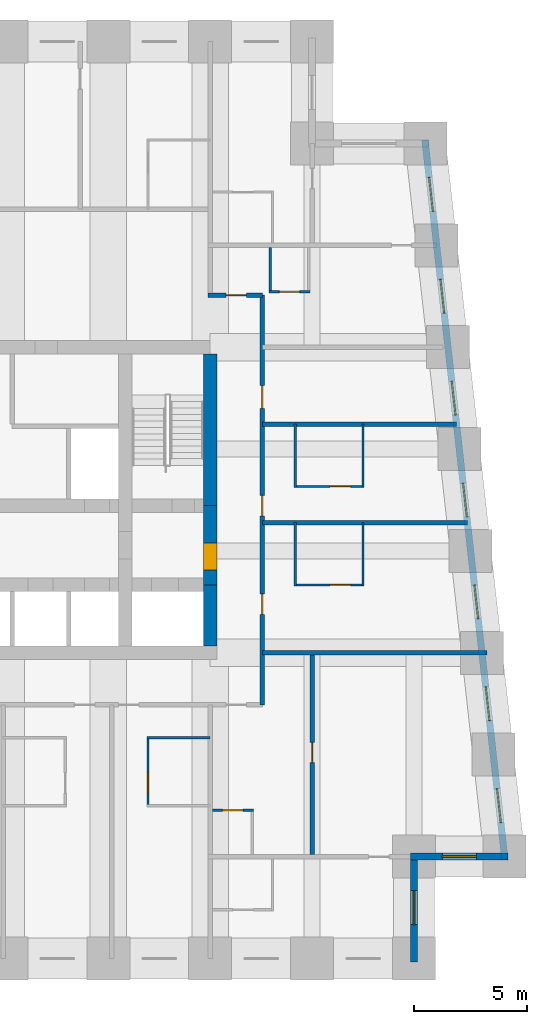
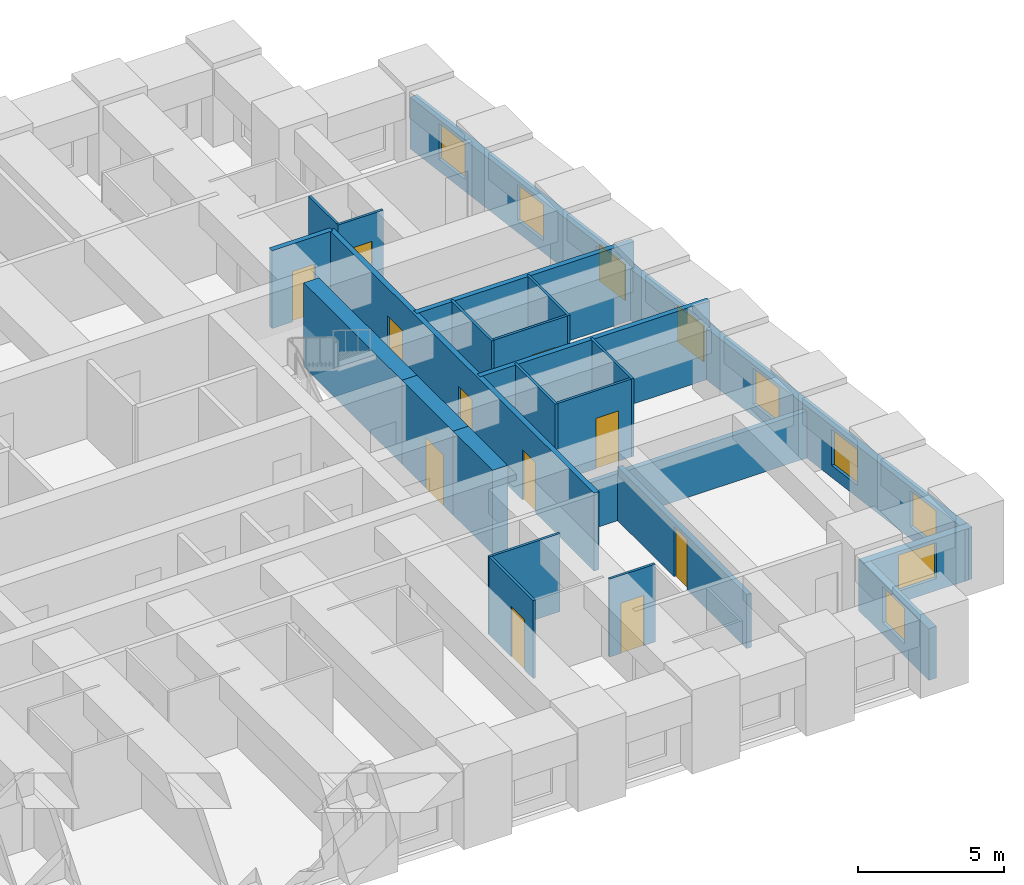
# One storey, part 5 of 8: 23 walls, 11 doors, 9 windows, 20 openings.
"""IFC4 building model written with IfcOpenShell, lengths in metres."""

import ifcopenshell
import ifcopenshell.guid

model = None  # the IFC model being written
_history = None  # IfcOwnerHistory: only IFC2X3 demands one
_inside = {}  # id of a spatial element -> (the spatial element, [elements in it])
_under = {}  # id of a project, library or spatial element -> (it, [spatial elements below it])
_declared = {}  # id of a project -> (the project, [libraries it declares])
_typed = {}  # id of a type object -> (the type object, [elements of that type])
_made_of = {}  # id of a material, layer set ... -> (it, [elements and type objects made of it])


def new_model(schema):
    """Start an empty IFC model of exactly this schema.

    Asked for "IFC4X3", IfcOpenShell would pick the latest addendum, in which some entities
    have other attributes; the version numbers below select the first issue.
    IFC2X3 requires an IfcOwnerHistory on every rooted entity: one is made here for all.
    """
    global model, _history
    if schema == "IFC4X3":
        model = ifcopenshell.file(schema_version=(4, 3, 0, 0))
    else:
        model = ifcopenshell.file(schema=schema)
    _inside.clear()
    _under.clear()
    _declared.clear()
    _typed.clear()
    _made_of.clear()
    _history = None
    if model.schema == "IFC2X3":
        org = make("IfcOrganization", Name="unknown")
        user = make(
            "IfcPersonAndOrganization",
            ThePerson=make("IfcPerson", FamilyName="unknown"),
            TheOrganization=org,
        )
        app = make(
            "IfcApplication",
            ApplicationDeveloper=org,
            Version="unknown",
            ApplicationFullName="unknown",
            ApplicationIdentifier="unknown",
        )
        _history = make(
            "IfcOwnerHistory",
            OwningUser=user,
            OwningApplication=app,
            ChangeAction="ADDED",
            CreationDate=0,
        )
    return model


def make(cls, **values):
    """One entity of the class cls with the attributes given. An attribute that is None is left unset."""
    return model.create_entity(
        cls, **{name: value for name, value in values.items() if value is not None}
    )


def rooted(cls, **values):
    """An entity with a GlobalId (a new one), such as an element, a storey or a relation."""
    return make(cls, GlobalId=ifcopenshell.guid.new(), OwnerHistory=_history, **values)


def si_unit(unit_type, name, prefix=None):
    """IfcSIUnit, for example si_unit("LENGTHUNIT", "METRE", prefix="MILLI")."""
    return make("IfcSIUnit", UnitType=unit_type, Prefix=prefix, Name=name)


def assignment(units):
    """IfcUnitAssignment: the units of a project."""
    return None if units is None else make("IfcUnitAssignment", Units=units)


def point(xyz):
    """IfcCartesianPoint."""
    return None if xyz is None else make("IfcCartesianPoint", Coordinates=xyz)


def direction(xyz):
    """IfcDirection."""
    return None if xyz is None else make("IfcDirection", DirectionRatios=xyz)


def frame(location, z_axis=None, x_axis=None):
    """IfcAxis2Placement3D, a coordinate frame: its origin and axes. An axis left out is left unset."""
    return make(
        "IfcAxis2Placement3D",
        Location=point(location),
        Axis=direction(z_axis),
        RefDirection=direction(x_axis),
    )


def frame_2d(location, x_axis=None):
    """IfcAxis2Placement2D, a coordinate frame in the plane: its origin and x axis."""
    return make(
        "IfcAxis2Placement2D", Location=point(location), RefDirection=direction(x_axis)
    )


def origin():
    """The frame at (0, 0, 0) with its axes left unset."""
    return frame((0.0, 0.0, 0.0))


def place(relative_to, where):
    """IfcLocalPlacement: puts the frame where relative to a parent placement (None: the world)."""
    return make(
        "IfcLocalPlacement", PlacementRelTo=relative_to, RelativePlacement=where
    )


def context(
    kind, dimensions, precision=None, world=None, true_north=None, identifier=None
):
    """IfcGeometricRepresentationContext, for example the 3D "Model" context."""
    return make(
        "IfcGeometricRepresentationContext",
        ContextIdentifier=identifier,
        ContextType=kind,
        CoordinateSpaceDimension=dimensions,
        Precision=precision,
        WorldCoordinateSystem=world,
        TrueNorth=true_north,
    )


def subcontext(parent, identifier, kind, view, scale=None):
    """IfcGeometricRepresentationSubContext, for example "Body" below "Model"."""
    return make(
        "IfcGeometricRepresentationSubContext",
        ContextIdentifier=identifier,
        ContextType=kind,
        ParentContext=parent,
        TargetScale=scale,
        TargetView=view,
    )


def project(units=None, contexts=None):
    """IfcProject with its units and contexts."""
    return rooted(
        "IfcProject",
        Name="project",
        RepresentationContexts=contexts,
        UnitsInContext=assignment(units),
    )


def spatial(cls, under=None, at=None, **own):
    """A site, building, storey or space (cls), placed at a placement, below another one or the project."""
    s = rooted(cls, ObjectPlacement=at, **own)
    if under is not None:
        _under.setdefault(under.id(), (under, []))[1].append(s)
    return s


def profile(cls, at=None, kind="AREA", **sizes):
    """A parametric profile (cls). Its sizes go by their IFC names, for example OverallWidth=200.0."""
    return make(cls, ProfileType=kind, Position=at, **sizes)


def rectangle(**sizes):
    """IfcRectangleProfileDef."""
    return profile("IfcRectangleProfileDef", **sizes)


def extrude(swept, where, along, depth):
    """IfcExtrudedAreaSolid: the profile swept, set in the frame where, extruded along a direction by depth."""
    return make(
        "IfcExtrudedAreaSolid",
        SweptArea=swept,
        Position=where,
        ExtrudedDirection=direction(along),
        Depth=depth,
    )


def shape(context_of_items, identifier, shape_type, items):
    """IfcShapeRepresentation: the items that make up one representation, for example the "Body"."""
    return make(
        "IfcShapeRepresentation",
        ContextOfItems=context_of_items,
        RepresentationIdentifier=identifier,
        RepresentationType=shape_type,
        Items=items,
    )


def material(Name=None, Category=None):
    """IfcMaterial."""
    return make("IfcMaterial", Name=Name, Category=Category)


def layer(
    of_material, thickness, ventilated=None, Name=None, Category=None, Priority=None
):
    """IfcMaterialLayer: one layer of a wall or slab, of a material (None: an air gap)."""
    return make(
        "IfcMaterialLayer",
        Material=of_material,
        LayerThickness=thickness,
        IsVentilated=ventilated,
        Name=Name,
        Category=Category,
        Priority=Priority,
    )


def layer_set(layers, Name=None):
    """IfcMaterialLayerSet."""
    return make("IfcMaterialLayerSet", MaterialLayers=layers, LayerSetName=Name)


def made_of(thing, what):
    """Note that an element or type object is made of a material, layer set ...; save() writes the relation."""
    if what is not None:
        _made_of.setdefault(what.id(), (what, []))[1].append(thing)
    return thing


def type_object(cls, material=None, **own):
    """A type object (cls), such as IfcWallType, which elements share."""
    return made_of(rooted(cls, **own), material)


def element(
    cls,
    number,
    at=None,
    inside=None,
    cuts=None,
    type_object=None,
    material=None,
    context=None,
    identifier="Body",
    shape_type=None,
    held_by="IfcProductDefinitionShape",
    body=None,
    shapes=None,
    **own,
):
    """One element of the class cls, such as IfcWall. Its Tag is "e" and its number.

    at: its placement. inside: the storey or other place that contains it. cuts: it is an
    opening in that element (IfcRelVoidsElement). A single representation is given by context,
    identifier, shape_type and body (its items); several are given by shapes. held_by: the class
    of the entity that holds the representations. save() writes the other relations.
    """
    e = rooted(cls, Tag="e%d" % number, ObjectPlacement=at, **own)
    if body is not None:
        shapes = [shape(context, identifier, shape_type, body)]
    if shapes is not None:
        e.Representation = make(held_by, Representations=shapes)
    if inside is not None:
        _inside.setdefault(inside.id(), (inside, []))[1].append(e)
    if cuts is not None:
        rooted(
            "IfcRelVoidsElement", RelatingBuildingElement=cuts, RelatedOpeningElement=e
        )
    if type_object is not None:
        _typed.setdefault(type_object.id(), (type_object, []))[1].append(e)
    return made_of(e, material)


def fill(opening, filler):
    """IfcRelFillsElement: the door or window that sits in an opening."""
    return rooted(
        "IfcRelFillsElement",
        RelatingOpeningElement=opening,
        RelatedBuildingElement=filler,
    )


def aggregate(whole, parts):
    """IfcRelAggregates: a whole, such as a stair, and the parts it consists of."""
    return rooted("IfcRelAggregates", RelatingObject=whole, RelatedObjects=parts)


def save(model, path):
    """Write the relations noted so far, then the file.

    IfcRelAggregates (storeys below a building ...), IfcRelContainedInSpatialStructure (elements
    in a storey), IfcRelDefinesByType, IfcRelAssociatesMaterial and IfcRelDeclares: one each for
    every whole, place, type object, material and project.
    """
    for whole, parts in _under.values():
        aggregate(whole, parts)
    for where, things in _inside.values():
        rooted(
            "IfcRelContainedInSpatialStructure",
            RelatedElements=things,
            RelatingStructure=where,
        )
    for kind, things in _typed.values():
        rooted("IfcRelDefinesByType", RelatedObjects=things, RelatingType=kind)
    for what, things in _made_of.values():
        rooted("IfcRelAssociatesMaterial", RelatedObjects=things, RelatingMaterial=what)
    for by, libraries in _declared.values():
        rooted("IfcRelDeclares", RelatingContext=by, RelatedDefinitions=libraries)
    model.write(path)


model = new_model("IFC4")

# Units and contexts
model_context = context("Model", 3, precision=1e-05, world=origin(), true_north=direction((0.0, 1.0)))
body_context = subcontext(model_context, "Body", "Model", "MODEL_VIEW")
ifc_project = project(units=[si_unit("LENGTHUNIT", "METRE"), si_unit("AREAUNIT", "SQUARE_METRE"), si_unit("VOLUMEUNIT", "CUBIC_METRE"), si_unit("PLANEANGLEUNIT", "RADIAN"), si_unit("MASSUNIT", "GRAM", prefix="KILO")], contexts=[model_context])

# Site, building, storey
site_placement = place(None, origin())
site = spatial("IfcSite", under=ifc_project, at=site_placement, CompositionType="ELEMENT")
building_placement = place(site_placement, origin())
building = spatial("IfcBuilding", under=site, at=building_placement, Name="Kilele Tower Hotel", CompositionType="ELEMENT")
storey_placement = place(building_placement, frame((0.0, 0.0, 100.39990234375)))
storey = spatial("IfcBuildingStorey", under=building, at=storey_placement, Name="L25", CompositionType="ELEMENT", Elevation=100.39990234375)

# Wall
ifc_material_1 = material(Name="Moisture-resistant board")
ifc_layer_1 = layer(ifc_material_1, 0.10009765625)
ifc_layer_set_1 = layer_set([ifc_layer_1], Name="Moisture-resistant board")
wall_type_1 = type_object("IfcWallType", Name="Bathroom partition 100", PredefinedType="PLUMBINGWALL", material=ifc_layer_set_1)
wall_1_placement = place(storey_placement, frame((33.199951171875, 9.75, 0.0), z_axis=(0.0, 0.0, 1.0), x_axis=(1.0, 0.0, 0.0)))
element("IfcWall", 1, at=wall_1_placement, inside=storey, type_object=wall_type_1, Name="Bathroom partition 100 L25", PredefinedType="PLUMBINGWALL", context=body_context, shape_type="SweptSolid", body=[
    extrude(rectangle(XDim=2.800048828125, YDim=0.10009765625, at=frame_2d((1.39990234375, 0.0))), origin(), (0.0, 0.0, 1.0), 3.25),
])

# Wall, opening, door
wall_2_placement = place(storey_placement, frame((33.25, 9.800048828125, 0.0), z_axis=(0.0, 0.0, 1.0), x_axis=(0.0, -1.0, 0.0)))
wall_2 = element("IfcWall", 2, at=wall_2_placement, inside=storey, type_object=wall_type_1, Name="Bathroom partition 100 L25", PredefinedType="PLUMBINGWALL", context=body_context, shape_type="SweptSolid", body=[
    extrude(rectangle(XDim=3.10009765625, YDim=0.10009765625, at=frame_2d((1.550048828125, 0.0))), origin(), (0.0, 0.0, 1.0), 3.25),
])
opening_1_placement = place(wall_2_placement, frame((2.5, 0.0, 0.0), z_axis=(0.0, 0.0, 1.0), x_axis=(-1.0, 0.0, 0.0)))
opening_1 = element("IfcOpeningElement", 3, at=opening_1_placement, cuts=wall_2, Name="Opening D2A", PredefinedType="OPENING", context=body_context, shape_type="SweptSolid", body=[
    extrude(rectangle(XDim=0.89990234375, YDim=2.10009765625, at=frame_2d((0.449951171875, 1.050048828125))), frame((0.0, 0.06005859375, 0.0), z_axis=(0.0, -1.0, 0.0), x_axis=(1.0, 0.0, 0.0)), (0.0, 0.0, 1.0), 0.1201171875),
])
ifc_material_2 = material(Name="Timber door leaf in hardwood frame", Category="wood")
door_type_1 = type_object("IfcDoorType", Name="Bathroom door 900", OperationType="SINGLE_SWING_LEFT", PredefinedType="DOOR", material=ifc_material_2)
door_1_placement = place(opening_1_placement, origin())
door_1 = element("IfcDoor", 4, at=door_1_placement, inside=storey, type_object=door_type_1, Name="Bathroom door 2505B", OperationType="SINGLE_SWING_LEFT", OverallHeight=2.10009765625, OverallWidth=0.89990234375, PredefinedType="DOOR", context=body_context, shape_type="SweptSolid", body=[
    extrude(rectangle(XDim=0.89990234375, YDim=2.10009765625, at=frame_2d((0.449951171875, 1.050048828125))), frame((0.0, 0.02490234375, 0.0), z_axis=(0.0, -1.0, 0.0), x_axis=(1.0, 0.0, 0.0)), (0.0, 0.0, 1.0), 0.050048828125),
])
fill(opening_1, door_1)

# Walls
for number, where, z_axis, x_axis, name in (
    (5, (39.75, 16.449951171875, 0.0), (0.0, 0.0, 1.0), (0.0, 1.0, 0.0), "Bathroom partition 100 L25"),
    (6, (42.75, 16.449951171875, 0.0), (0.0, 0.0, 1.0), (0.0, 1.0, 0.0), "Bathroom partition 100 L25"),
):
    element("IfcWall", number, at=place(storey_placement, frame(where, z_axis=z_axis, x_axis=x_axis)), inside=storey, type_object=wall_type_1, Name=name, PredefinedType="PLUMBINGWALL", context=body_context, shape_type="SweptSolid", body=[
        extrude(rectangle(XDim=2.800048828125, YDim=0.10009765625, at=frame_2d((1.39990234375, 0.0))), origin(), (0.0, 0.0, 1.0), 3.25),
    ])

# Wall, opening, door
wall_3_placement = place(storey_placement, frame((39.699951171875, 16.5, 0.0), z_axis=(0.0, 0.0, 1.0), x_axis=(1.0, 0.0, 0.0)))
wall_3 = element("IfcWall", 7, at=wall_3_placement, inside=storey, type_object=wall_type_1, Name="Bathroom partition 100 L25", PredefinedType="PLUMBINGWALL", context=body_context, shape_type="SweptSolid", body=[
    extrude(rectangle(XDim=3.10009765625, YDim=0.10009765625, at=frame_2d((1.550048828125, 0.0))), origin(), (0.0, 0.0, 1.0), 3.25),
])
opening_2_placement = place(wall_3_placement, frame((2.5, 0.0, 0.0), z_axis=(0.0, 0.0, 1.0), x_axis=(-1.0, 0.0, 0.0)))
opening_2 = element("IfcOpeningElement", 8, at=opening_2_placement, cuts=wall_3, Name="Opening D2A", PredefinedType="OPENING", context=body_context, shape_type="SweptSolid", body=[
    extrude(rectangle(XDim=0.89990234375, YDim=2.10009765625, at=frame_2d((0.449951171875, 1.050048828125))), frame((0.0, 0.06005859375, 0.0), z_axis=(0.0, -1.0, 0.0), x_axis=(1.0, 0.0, 0.0)), (0.0, 0.0, 1.0), 0.1201171875),
])
door_2_placement = place(opening_2_placement, origin())
door_2 = element("IfcDoor", 9, at=door_2_placement, inside=storey, type_object=door_type_1, Name="Bathroom door 2506B", OperationType="SINGLE_SWING_LEFT", OverallHeight=2.10009765625, OverallWidth=0.89990234375, PredefinedType="DOOR", context=body_context, shape_type="SweptSolid", body=[
    extrude(rectangle(XDim=0.89990234375, YDim=2.10009765625, at=frame_2d((0.449951171875, 1.050048828125))), frame((0.0, 0.02490234375, 0.0), z_axis=(0.0, -1.0, 0.0), x_axis=(1.0, 0.0, 0.0)), (0.0, 0.0, 1.0), 0.050048828125),
])
fill(opening_2, door_2)

# Walls
for number, where, z_axis, x_axis, name in (
    (10, (39.75, 20.800048828125, 0.0), (0.0, 0.0, 1.0), (0.0, 1.0, 0.0), "Bathroom partition 100 L25"),
    (11, (42.75, 20.800048828125, 0.0), (0.0, 0.0, 1.0), (0.0, 1.0, 0.0), "Bathroom partition 100 L25"),
):
    element("IfcWall", number, at=place(storey_placement, frame(where, z_axis=z_axis, x_axis=x_axis)), inside=storey, type_object=wall_type_1, Name=name, PredefinedType="PLUMBINGWALL", context=body_context, shape_type="SweptSolid", body=[
        extrude(rectangle(XDim=2.800048828125, YDim=0.10009765625, at=frame_2d((1.39990234375, 0.0))), origin(), (0.0, 0.0, 1.0), 3.25),
    ])

# Wall, opening, door
wall_4_placement = place(storey_placement, frame((39.699951171875, 20.85009765625, 0.0), z_axis=(0.0, 0.0, 1.0), x_axis=(1.0, 0.0, 0.0)))
wall_4 = element("IfcWall", 12, at=wall_4_placement, inside=storey, type_object=wall_type_1, Name="Bathroom partition 100 L25", PredefinedType="PLUMBINGWALL", context=body_context, shape_type="SweptSolid", body=[
    extrude(rectangle(XDim=3.10009765625, YDim=0.10009765625, at=frame_2d((1.550048828125, 0.0))), origin(), (0.0, 0.0, 1.0), 3.25),
])
opening_3_placement = place(wall_4_placement, frame((2.5, 0.0, 0.0), z_axis=(0.0, 0.0, 1.0), x_axis=(-1.0, 0.0, 0.0)))
opening_3 = element("IfcOpeningElement", 13, at=opening_3_placement, cuts=wall_4, Name="Opening D2A", PredefinedType="OPENING", context=body_context, shape_type="SweptSolid", body=[
    extrude(rectangle(XDim=0.89990234375, YDim=2.10009765625, at=frame_2d((0.449951171875, 1.050048828125))), frame((0.0, 0.06005859375, 0.0), z_axis=(0.0, -1.0, 0.0), x_axis=(1.0, 0.0, 0.0)), (0.0, 0.0, 1.0), 0.1201171875),
])
door_3_placement = place(opening_3_placement, origin())
door_3 = element("IfcDoor", 14, at=door_3_placement, inside=storey, type_object=door_type_1, Name="Bathroom door 2507B", OperationType="SINGLE_SWING_LEFT", OverallHeight=2.10009765625, OverallWidth=0.89990234375, PredefinedType="DOOR", context=body_context, shape_type="SweptSolid", body=[
    extrude(rectangle(XDim=0.89990234375, YDim=2.10009765625, at=frame_2d((0.449951171875, 1.050048828125))), frame((0.0, 0.02490234375, 0.0), z_axis=(0.0, -1.0, 0.0), x_axis=(1.0, 0.0, 0.0)), (0.0, 0.0, 1.0), 0.050048828125),
])
fill(opening_3, door_3)

wall_5_placement = place(storey_placement, frame((36.10009765625, 6.550048828125, 0.0), z_axis=(0.0, 0.0, 1.0), x_axis=(1.0, 0.0, 0.0)))
wall_5 = element("IfcWall", 15, at=wall_5_placement, inside=storey, type_object=wall_type_1, Name="Bathroom partition 100 L25", PredefinedType="PLUMBINGWALL", context=body_context, shape_type="SweptSolid", body=[
    extrude(rectangle(XDim=1.7998046875, YDim=0.10009765625, at=frame_2d((0.89990234375, 0.0))), origin(), (0.0, 0.0, 1.0), 3.25),
])
opening_4_placement = place(wall_5_placement, frame((0.449951171875, 0.0, 0.0)))
opening_4 = element("IfcOpeningElement", 16, at=opening_4_placement, cuts=wall_5, Name="Opening D2A", PredefinedType="OPENING", context=body_context, shape_type="SweptSolid", body=[
    extrude(rectangle(XDim=0.89990234375, YDim=2.10009765625, at=frame_2d((0.449951171875, 1.050048828125))), frame((0.0, 0.06005859375, 0.0), z_axis=(0.0, -1.0, 0.0), x_axis=(1.0, 0.0, 0.0)), (0.0, 0.0, 1.0), 0.1201171875),
])
door_4_placement = place(opening_4_placement, origin())
door_4 = element("IfcDoor", 17, at=door_4_placement, inside=storey, type_object=door_type_1, Name="Bathroom door 2520P", OperationType="SINGLE_SWING_LEFT", OverallHeight=2.10009765625, OverallWidth=0.89990234375, PredefinedType="DOOR", context=body_context, shape_type="SweptSolid", body=[
    extrude(rectangle(XDim=0.89990234375, YDim=2.10009765625, at=frame_2d((0.449951171875, 1.050048828125))), frame((0.0, 0.02490234375, 0.0), z_axis=(0.0, -1.0, 0.0), x_axis=(1.0, 0.0, 0.0)), (0.0, 0.0, 1.0), 0.050048828125),
])
fill(opening_4, door_4)

# Wall
wall_6_placement = place(storey_placement, frame((38.64990234375, 31.39990234375, 0.0), z_axis=(0.0, 0.0, 1.0), x_axis=(0.0, -1.0, 0.0)))
element("IfcWall", 18, at=wall_6_placement, inside=storey, type_object=wall_type_1, Name="Bathroom partition 100 L25", PredefinedType="PLUMBINGWALL", context=body_context, shape_type="SweptSolid", body=[
    extrude(rectangle(XDim=2.0, YDim=0.10009765625, at=frame_2d((1.0, 0.0))), origin(), (0.0, 0.0, 1.0), 3.25),
])

# Wall, opening, door
wall_7_placement = place(storey_placement, frame((38.60009765625, 29.449951171875, 0.0), z_axis=(0.0, 0.0, 1.0), x_axis=(1.0, 0.0, 0.0)))
wall_7 = element("IfcWall", 19, at=wall_7_placement, inside=storey, type_object=wall_type_1, Name="Bathroom partition 100 L25", PredefinedType="PLUMBINGWALL", context=body_context, shape_type="SweptSolid", body=[
    extrude(rectangle(XDim=1.7998046875, YDim=0.10009765625, at=frame_2d((0.89990234375, 0.0))), origin(), (0.0, 0.0, 1.0), 3.25),
])
opening_5_placement = place(wall_7_placement, frame((1.349853515625, 0.0, 0.0), z_axis=(0.0, 0.0, 1.0), x_axis=(-1.0, 0.0, 0.0)))
opening_5 = element("IfcOpeningElement", 20, at=opening_5_placement, cuts=wall_7, Name="Opening D2A", PredefinedType="OPENING", context=body_context, shape_type="SweptSolid", body=[
    extrude(rectangle(XDim=0.89990234375, YDim=2.10009765625, at=frame_2d((0.449951171875, 1.050048828125))), frame((0.0, 0.06005859375, 0.0), z_axis=(0.0, -1.0, 0.0), x_axis=(1.0, 0.0, 0.0)), (0.0, 0.0, 1.0), 0.1201171875),
])
door_5_placement = place(opening_5_placement, origin())
door_5 = element("IfcDoor", 21, at=door_5_placement, inside=storey, type_object=door_type_1, Name="Bathroom door 2523P", OperationType="SINGLE_SWING_RIGHT", OverallHeight=2.10009765625, OverallWidth=0.89990234375, PredefinedType="DOOR", context=body_context, shape_type="SweptSolid", body=[
    extrude(rectangle(XDim=0.89990234375, YDim=2.10009765625, at=frame_2d((0.449951171875, 1.050048828125))), frame((0.0, 0.02490234375, 0.0), z_axis=(0.0, -1.0, 0.0), x_axis=(1.0, 0.0, 0.0)), (0.0, 0.0, 1.0), 0.050048828125),
])
fill(opening_5, door_5)

# Wall
ifc_material_3 = material(Name="Concrete C60/75", Category="concrete")
ifc_layer_2 = layer(ifc_material_3, 0.60009765625)
ifc_layer_set_2 = layer_set([ifc_layer_2], Name="Concrete C60/75")
wall_type_2 = type_object("IfcWallType", Name="Core wall 600 C60/75", PredefinedType="SHEAR", material=ifc_layer_set_2)
wall_8_placement = place(storey_placement, frame((36.0, 13.800048828125, 0.0), z_axis=(0.0, 0.0, 1.0), x_axis=(0.0, 1.0, 0.0)))
element("IfcWall", 22, at=wall_8_placement, inside=storey, type_object=wall_type_2, Name="Core wall E1 L25", PredefinedType="SHEAR", context=body_context, shape_type="SweptSolid", body=[
    extrude(rectangle(XDim=2.699951171875, YDim=0.60009765625, at=frame_2d((1.35009765625, 0.0))), origin(), (0.0, 0.0, 1.0), 3.5),
])

# Wall, opening, door
wall_9_placement = place(storey_placement, frame((36.0, 16.5, 0.0), z_axis=(0.0, 0.0, 1.0), x_axis=(0.0, 1.0, 0.0)))
wall_9 = element("IfcWall", 23, at=wall_9_placement, inside=storey, type_object=wall_type_2, Name="Core wall E2 L25", PredefinedType="SHEAR", context=body_context, shape_type="SweptSolid", body=[
    extrude(rectangle(XDim=3.5, YDim=0.60009765625, at=frame_2d((1.75, 0.0))), origin(), (0.0, 0.0, 1.0), 3.5),
])
opening_6_placement = place(wall_9_placement, frame((0.64990234375, 0.0, 0.0)))
opening_6 = element("IfcOpeningElement", 24, at=opening_6_placement, cuts=wall_9, Name="Opening D4", PredefinedType="OPENING", context=body_context, shape_type="SweptSolid", body=[
    extrude(rectangle(XDim=1.199951171875, YDim=2.10009765625, at=frame_2d((0.60009765625, 1.050048828125))), frame((0.0, 0.31005859375, 0.0), z_axis=(0.0, -1.0, 0.0), x_axis=(1.0, 0.0, 0.0)), (0.0, 0.0, 1.0), 0.6201171875),
])
ifc_material_4 = material(Name="Timber door leaf in hardwood frame", Category="wood")
door_type_2 = type_object("IfcDoorType", Name="Firefighting lobby door 1200", OperationType="SINGLE_SWING_LEFT", PredefinedType="DOOR", material=ifc_material_4)
door_6_placement = place(opening_6_placement, origin())
door_6 = element("IfcDoor", 25, at=door_6_placement, inside=storey, type_object=door_type_2, Name="Lobby door L25", OperationType="SINGLE_SWING_LEFT", OverallHeight=2.10009765625, OverallWidth=1.199951171875, PredefinedType="DOOR", context=body_context, shape_type="SweptSolid", body=[
    extrude(rectangle(XDim=1.199951171875, YDim=2.10009765625, at=frame_2d((0.60009765625, 1.050048828125))), frame((0.0, 0.2998046875, 0.0), z_axis=(0.0, -1.0, 0.0), x_axis=(1.0, 0.0, 0.0)), (0.0, 0.0, 1.0), 0.599609375),
])
fill(opening_6, door_6)

# Wall
wall_10_placement = place(storey_placement, frame((36.0, 20.0, 0.0), z_axis=(0.0, 0.0, 1.0), x_axis=(0.0, 1.0, 0.0)))
element("IfcWall", 26, at=wall_10_placement, inside=storey, type_object=wall_type_2, Name="Core wall E3 L25", PredefinedType="SHEAR", context=body_context, shape_type="SweptSolid", body=[
    extrude(rectangle(XDim=6.699951171875, YDim=0.60009765625, at=frame_2d((3.35009765625, 0.0))), origin(), (0.0, 0.0, 1.0), 3.5),
])

# Wall, opening, door
ifc_material_5 = material(Name="Blockwork, plastered both sides", Category="masonry")
ifc_layer_3 = layer(ifc_material_5, 0.199951171875)
ifc_layer_set_3 = layer_set([ifc_layer_3], Name="Blockwork, plastered both sides")
wall_type_3 = type_object("IfcWallType", Name="Corridor wall 200", PredefinedType="PARTITIONING", material=ifc_layer_set_3)
wall_11_placement = place(storey_placement, frame((35.89990234375, 29.300048828125, 0.0), z_axis=(0.0, 0.0, 1.0), x_axis=(1.0, 0.0, 0.0)))
wall_11 = element("IfcWall", 27, at=wall_11_placement, inside=storey, type_object=wall_type_3, Name="Corridor wall 200 L25", PredefinedType="PARTITIONING", context=body_context, shape_type="SweptSolid", body=[
    extrude(rectangle(XDim=2.400146484375, YDim=0.199951171875, at=frame_2d((1.2001953125, 0.0))), origin(), (0.0, 0.0, 1.0), 3.25),
])
opening_7_placement = place(wall_11_placement, frame((0.800048828125, 0.0, 0.0)))
opening_7 = element("IfcOpeningElement", 28, at=opening_7_placement, cuts=wall_11, Name="Opening D1", PredefinedType="OPENING", context=body_context, shape_type="SweptSolid", body=[
    extrude(rectangle(XDim=0.89990234375, YDim=2.10009765625, at=frame_2d((0.449951171875, 1.050048828125))), frame((0.0, 0.10986328125, 0.0), z_axis=(0.0, -1.0, 0.0), x_axis=(1.0, 0.0, 0.0)), (0.0, 0.0, 1.0), 0.219970703125),
])
ifc_material_6 = material(Name="Timber door leaf in hardwood frame", Category="wood")
door_type_3 = type_object("IfcDoorType", Name="Guest room entrance door 900", OperationType="SINGLE_SWING_LEFT", PredefinedType="DOOR", material=ifc_material_6)
door_7_placement = place(opening_7_placement, origin())
door_7 = element("IfcDoor", 29, at=door_7_placement, inside=storey, type_object=door_type_3, Name="Room entrance 2523", OperationType="SINGLE_SWING_LEFT", OverallHeight=2.10009765625, OverallWidth=0.89990234375, PredefinedType="DOOR", context=body_context, shape_type="SweptSolid", body=[
    extrude(rectangle(XDim=0.89990234375, YDim=2.10009765625, at=frame_2d((0.449951171875, 1.050048828125))), frame((0.0, 0.02490234375, 0.0), z_axis=(0.0, -1.0, 0.0), x_axis=(1.0, 0.0, 0.0)), (0.0, 0.0, 1.0), 0.050048828125),
])
fill(opening_7, door_7)

# Wall, openings, doors
wall_12_placement = place(storey_placement, frame((38.300048828125, 11.199951171875, 0.0), z_axis=(0.0, 0.0, 1.0), x_axis=(0.0, 1.0, 0.0)))
wall_12 = element("IfcWall", 30, at=wall_12_placement, inside=storey, type_object=wall_type_3, Name="Corridor wall 200 L25", PredefinedType="PARTITIONING", context=body_context, shape_type="SweptSolid", body=[
    extrude(rectangle(XDim=18.10009765625, YDim=0.199951171875, at=frame_2d((9.050048828125, 0.0))), origin(), (0.0, 0.0, 1.0), 3.25),
])
opening_8_placement = place(wall_12_placement, frame((4.89990234375, 0.0, 0.0), z_axis=(0.0, 0.0, 1.0), x_axis=(-1.0, 0.0, 0.0)))
opening_8 = element("IfcOpeningElement", 31, at=opening_8_placement, cuts=wall_12, Name="Opening D1", PredefinedType="OPENING", context=body_context, shape_type="SweptSolid", body=[
    extrude(rectangle(XDim=0.89990234375, YDim=2.10009765625, at=frame_2d((0.449951171875, 1.050048828125))), frame((0.0, 0.10986328125, 0.0), z_axis=(0.0, -1.0, 0.0), x_axis=(1.0, 0.0, 0.0)), (0.0, 0.0, 1.0), 0.219970703125),
])
opening_9_placement = place(wall_12_placement, frame((9.25, 0.0, 0.0), z_axis=(0.0, 0.0, 1.0), x_axis=(-1.0, 0.0, 0.0)))
opening_9 = element("IfcOpeningElement", 32, at=opening_9_placement, cuts=wall_12, Name="Opening D1", PredefinedType="OPENING", context=body_context, shape_type="SweptSolid", body=[
    extrude(rectangle(XDim=0.89990234375, YDim=2.10009765625, at=frame_2d((0.449951171875, 1.050048828125))), frame((0.0, 0.10986328125, 0.0), z_axis=(0.0, -1.0, 0.0), x_axis=(1.0, 0.0, 0.0)), (0.0, 0.0, 1.0), 0.219970703125),
])
opening_10_placement = place(wall_12_placement, frame((14.10009765625, 0.0, 0.0), z_axis=(0.0, 0.0, 1.0), x_axis=(-1.0, 0.0, 0.0)))
opening_10 = element("IfcOpeningElement", 33, at=opening_10_placement, cuts=wall_12, Name="Opening D8", PredefinedType="OPENING", context=body_context, shape_type="SweptSolid", body=[
    extrude(rectangle(XDim=1.0, YDim=2.10009765625, at=frame_2d((0.5, 1.050048828125))), frame((0.0, 0.10986328125, 0.0), z_axis=(0.0, -1.0, 0.0), x_axis=(1.0, 0.0, 0.0)), (0.0, 0.0, 1.0), 0.219970703125),
])
ifc_material_7 = material(Name="Timber door leaf in hardwood frame", Category="wood")
door_type_4 = type_object("IfcDoorType", Name="Door 1000", OperationType="SINGLE_SWING_LEFT", PredefinedType="DOOR", material=ifc_material_7)
door_8_placement = place(opening_10_placement, origin())
door_8 = element("IfcDoor", 34, at=door_8_placement, inside=storey, type_object=door_type_4, Name="Room entrance 2508", OperationType="SINGLE_SWING_RIGHT", OverallHeight=2.10009765625, OverallWidth=1.0, PredefinedType="DOOR", context=body_context, shape_type="SweptSolid", body=[
    extrude(rectangle(XDim=1.0, YDim=2.10009765625, at=frame_2d((0.5, 1.050048828125))), frame((0.0, 0.02490234375, 0.0), z_axis=(0.0, -1.0, 0.0), x_axis=(1.0, 0.0, 0.0)), (0.0, 0.0, 1.0), 0.050048828125),
])
fill(opening_10, door_8)
door_9_placement = place(opening_8_placement, origin())
door_9 = element("IfcDoor", 35, at=door_9_placement, inside=storey, type_object=door_type_3, Name="Room entrance 2506", OperationType="SINGLE_SWING_RIGHT", OverallHeight=2.10009765625, OverallWidth=0.89990234375, PredefinedType="DOOR", context=body_context, shape_type="SweptSolid", body=[
    extrude(rectangle(XDim=0.89990234375, YDim=2.10009765625, at=frame_2d((0.449951171875, 1.050048828125))), frame((0.0, 0.02490234375, 0.0), z_axis=(0.0, -1.0, 0.0), x_axis=(1.0, 0.0, 0.0)), (0.0, 0.0, 1.0), 0.050048828125),
])
fill(opening_8, door_9)
door_10_placement = place(opening_9_placement, origin())
door_10 = element("IfcDoor", 36, at=door_10_placement, inside=storey, type_object=door_type_3, Name="Room entrance 2507", OperationType="SINGLE_SWING_RIGHT", OverallHeight=2.10009765625, OverallWidth=0.89990234375, PredefinedType="DOOR", context=body_context, shape_type="SweptSolid", body=[
    extrude(rectangle(XDim=0.89990234375, YDim=2.10009765625, at=frame_2d((0.449951171875, 1.050048828125))), frame((0.0, 0.02490234375, 0.0), z_axis=(0.0, -1.0, 0.0), x_axis=(1.0, 0.0, 0.0)), (0.0, 0.0, 1.0), 0.050048828125),
])
fill(opening_9, door_10)

# Wall, opening, door
ifc_material_8 = material(Name="Blockwork, plastered both sides", Category="masonry")
ifc_layer_4 = layer(ifc_material_8, 0.199951171875)
ifc_layer_set_4 = layer_set([ifc_layer_4], Name="Blockwork, plastered both sides")
wall_type_4 = type_object("IfcWallType", Name="Partition wall 200", PredefinedType="PARTITIONING", material=ifc_layer_set_4)
wall_13_placement = place(storey_placement, frame((40.5, 4.60009765625, 0.0), z_axis=(0.0, 0.0, 1.0), x_axis=(0.0, 1.0, 0.0)))
wall_13 = element("IfcWall", 37, at=wall_13_placement, inside=storey, type_object=wall_type_4, Name="Partition wall 200 L25", PredefinedType="PARTITIONING", context=body_context, shape_type="SweptSolid", body=[
    extrude(rectangle(XDim=8.7998046875, YDim=0.199951171875, at=frame_2d((4.39990234375, 0.0))), origin(), (0.0, 0.0, 1.0), 2.25),
])
opening_11_placement = place(wall_13_placement, frame((4.050048828125, 0.0, 0.0)))
opening_11 = element("IfcOpeningElement", 38, at=opening_11_placement, cuts=wall_13, Name="Opening D3", PredefinedType="OPENING", context=body_context, shape_type="SweptSolid", body=[
    extrude(rectangle(XDim=0.89990234375, YDim=2.10009765625, at=frame_2d((0.449951171875, 1.050048828125))), frame((0.0, 0.10986328125, 0.0), z_axis=(0.0, -1.0, 0.0), x_axis=(1.0, 0.0, 0.0)), (0.0, 0.0, 1.0), 0.219970703125),
])
ifc_material_9 = material(Name="Timber door leaf in hardwood frame", Category="wood")
door_type_5 = type_object("IfcDoorType", Name="Suite internal door 900", OperationType="SINGLE_SWING_LEFT", PredefinedType="DOOR", material=ifc_material_9)
door_11_placement = place(opening_11_placement, origin())
door_11 = element("IfcDoor", 39, at=door_11_placement, inside=storey, type_object=door_type_5, Name="Suite door 2521", OperationType="SINGLE_SWING_RIGHT", OverallHeight=2.10009765625, OverallWidth=0.89990234375, PredefinedType="DOOR", context=body_context, shape_type="SweptSolid", body=[
    extrude(rectangle(XDim=0.89990234375, YDim=2.10009765625, at=frame_2d((0.449951171875, 1.050048828125))), frame((0.0, 0.02490234375, 0.0), z_axis=(0.0, -1.0, 0.0), x_axis=(1.0, 0.0, 0.0)), (0.0, 0.0, 1.0), 0.050048828125),
])
fill(opening_11, door_11)

# Walls
ifc_material_10 = material(Name="Blockwork, plastered both sides", Category="masonry")
ifc_layer_5 = layer(ifc_material_10, 0.199951171875)
ifc_layer_set_5 = layer_set([ifc_layer_5], Name="Blockwork, plastered both sides")
wall_type_5 = type_object("IfcWallType", Name="Party wall 200", PredefinedType="PARTITIONING", material=ifc_layer_set_5)
wall_14_placement = place(storey_placement, frame((38.300048828125, 19.25, 0.0), z_axis=(0.0, 0.0, 1.0), x_axis=(1.0, 0.0, 0.0)))
element("IfcWall", 40, at=wall_14_placement, inside=storey, type_object=wall_type_5, Name="Party wall 200 L25", PredefinedType="PARTITIONING", context=body_context, shape_type="SweptSolid", body=[
    extrude(rectangle(XDim=9.06005859375, YDim=0.199951171875, at=frame_2d((4.530029296875, 0.0))), origin(), (0.0, 0.0, 1.0), 3.25),
])
wall_15_placement = place(storey_placement, frame((38.300048828125, 23.60009765625, 0.0), z_axis=(0.0, 0.0, 1.0), x_axis=(1.0, 0.0, 0.0)))
element("IfcWall", 41, at=wall_15_placement, inside=storey, type_object=wall_type_5, Name="Party wall 200 L25", PredefinedType="PARTITIONING", context=body_context, shape_type="SweptSolid", body=[
    extrude(rectangle(XDim=8.576904296875, YDim=0.199951171875, at=frame_2d((4.28857421875, 0.0))), origin(), (0.0, 0.0, 1.0), 3.25),
])
wall_16_placement = place(storey_placement, frame((38.300048828125, 13.5, 0.0), z_axis=(0.0, 0.0, 1.0), x_axis=(1.0, 0.0, 0.0)))
element("IfcWall", 42, at=wall_16_placement, inside=storey, type_object=wall_type_5, Name="Party wall 200 L25", PredefinedType="PARTITIONING", context=body_context, shape_type="SweptSolid", body=[
    extrude(rectangle(XDim=9.921142578125, YDim=0.199951171875, at=frame_2d((4.96044921875, 0.0))), origin(), (0.0, 0.0, 1.0), 1.9501953125),
])

# Wall, opening, window
ifc_material_11 = material(Name="Concrete C40/50 precast", Category="concrete")
ifc_layer_6 = layer(ifc_material_11, 0.260009765625, Name="Precast backing", Category="LoadBearing")
ifc_material_12 = material(Name="Reconstituted stone finish", Category="masonry")
ifc_layer_7 = layer(ifc_material_12, 0.0400390625, Name="Face mix", Category="Finish")
ifc_layer_set_6 = layer_set([ifc_layer_6, ifc_layer_7], Name="Precast concrete C40/50, reconstituted stone finish")
wall_type_6 = type_object("IfcWallType", Name="Precast stone facade wall 300", PredefinedType="STANDARD", material=ifc_layer_set_6)
wall_17_placement = place(storey_placement, frame((45.0, -0.14990234375, 0.0), z_axis=(0.0, 0.0, 1.0), x_axis=(0.0, 1.0, 0.0)))
wall_17 = element("IfcWall", 43, at=wall_17_placement, inside=storey, type_object=wall_type_6, Name="Facade wall L25 edge 4", PredefinedType="STANDARD", context=body_context, shape_type="SweptSolid", body=[
    extrude(rectangle(XDim=4.7998046875, YDim=0.300048828125, at=frame_2d((2.39990234375, 0.0))), origin(), (0.0, 0.0, 1.0), 2.150146484375),
])
opening_12_placement = place(wall_17_placement, frame((1.64990234375, 0.0, 0.5)))
opening_12 = element("IfcOpeningElement", 44, at=opening_12_placement, cuts=wall_17, Name="Opening W2", PredefinedType="OPENING", context=body_context, shape_type="SweptSolid", body=[
    extrude(rectangle(XDim=1.5, YDim=1.5, at=frame_2d((0.75, 0.75))), frame((0.0, 0.159912109375, 0.0), z_axis=(0.0, -1.0, 0.0), x_axis=(1.0, 0.0, 0.0)), (0.0, 0.0, 1.0), 0.320068359375),
])
ifc_material_13 = material(Name="Aluminium frame, clear double glazing", Category="aluminium")
window_type = type_object("IfcWindowType", Name="Window W2 1500 x 1500", PartitioningType="SINGLE_PANEL", PredefinedType="WINDOW", material=ifc_material_13)
window_1_placement = place(opening_12_placement, origin())
window_1 = element("IfcWindow", 45, at=window_1_placement, inside=storey, type_object=window_type, Name="Window L25", OverallHeight=1.5, OverallWidth=1.5, PartitioningType="SINGLE_PANEL", PredefinedType="WINDOW", context=body_context, shape_type="SweptSolid", body=[
    extrude(rectangle(XDim=1.5, YDim=1.5, at=frame_2d((0.75, 0.75))), frame((0.0, 0.030029296875, 0.0), z_axis=(0.0, -1.0, 0.0), x_axis=(1.0, 0.0, 0.0)), (0.0, 0.0, 1.0), 0.06005859375),
])
fill(opening_12, window_1)

wall_18_placement = place(storey_placement, frame((44.85009765625, 4.5, 0.0), z_axis=(0.0, 0.0, 1.0), x_axis=(1.0, 0.0, 0.0)))
wall_18 = element("IfcWall", 46, at=wall_18_placement, inside=storey, type_object=wall_type_6, Name="Facade wall L25 edge 5", PredefinedType="STANDARD", context=body_context, shape_type="SweptSolid", body=[
    extrude(rectangle(XDim=4.2998046875, YDim=0.300048828125, at=frame_2d((2.14990234375, 0.0))), origin(), (0.0, 0.0, 1.0), 2.150146484375),
])
opening_13_placement = place(wall_18_placement, frame((1.39990234375, 0.0, 0.5)))
opening_13 = element("IfcOpeningElement", 47, at=opening_13_placement, cuts=wall_18, Name="Opening W2", PredefinedType="OPENING", context=body_context, shape_type="SweptSolid", body=[
    extrude(rectangle(XDim=1.5, YDim=1.5, at=frame_2d((0.75, 0.75))), frame((0.0, 0.159912109375, 0.0), z_axis=(0.0, -1.0, 0.0), x_axis=(1.0, 0.0, 0.0)), (0.0, 0.0, 1.0), 0.320068359375),
])
window_2_placement = place(opening_13_placement, origin())
window_2 = element("IfcWindow", 48, at=window_2_placement, inside=storey, type_object=window_type, Name="Window L25", OverallHeight=1.5, OverallWidth=1.5, PartitioningType="SINGLE_PANEL", PredefinedType="WINDOW", context=body_context, shape_type="SweptSolid", body=[
    extrude(rectangle(XDim=1.5, YDim=1.5, at=frame_2d((0.75, 0.75))), frame((0.0, 0.030029296875, 0.0), z_axis=(0.0, -1.0, 0.0), x_axis=(1.0, 0.0, 0.0)), (0.0, 0.0, 1.0), 0.06005859375),
])
fill(opening_13, window_2)

# Wall, openings, windows
wall_19_placement = place(storey_placement, frame((49.0166015625, 4.350830078125, 0.0), z_axis=(0.0, 0.0, 1.0), x_axis=(-0.110433201132, 0.993883548555, 0.0)))
wall_19 = element("IfcWall", 49, at=wall_19_placement, inside=storey, type_object=wall_type_6, Name="Facade wall L25 edge 6", PredefinedType="STANDARD", context=body_context, shape_type="SweptSolid", body=[
    extrude(rectangle(XDim=31.994140625, YDim=0.300048828125, at=frame_2d((15.9970703125, 0.0))), origin(), (0.0, 0.0, 1.0), 2.150146484375),
])
opening_14_placement = place(wall_19_placement, frame((1.6640625, 0.0, 0.5)))
opening_14 = element("IfcOpeningElement", 50, at=opening_14_placement, cuts=wall_19, Name="Opening W2", PredefinedType="OPENING", context=body_context, shape_type="SweptSolid", body=[
    extrude(rectangle(XDim=1.5, YDim=1.5, at=frame_2d((0.75, 0.75))), frame((0.0, 0.159912109375, 0.0), z_axis=(0.0, -1.0, 0.0), x_axis=(1.0, 0.0, 0.0)), (0.0, 0.0, 1.0), 0.320068359375),
])
opening_15_placement = place(wall_19_placement, frame((6.19189453125, 0.0, 0.5)))
opening_15 = element("IfcOpeningElement", 51, at=opening_15_placement, cuts=wall_19, Name="Opening W2", PredefinedType="OPENING", context=body_context, shape_type="SweptSolid", body=[
    extrude(rectangle(XDim=1.5, YDim=1.5, at=frame_2d((0.75, 0.75))), frame((0.0, 0.159912109375, 0.0), z_axis=(0.0, -1.0, 0.0), x_axis=(1.0, 0.0, 0.0)), (0.0, 0.0, 1.0), 0.320068359375),
])
opening_16_placement = place(wall_19_placement, frame((10.718994140625, 0.0, 0.5)))
opening_16 = element("IfcOpeningElement", 52, at=opening_16_placement, cuts=wall_19, Name="Opening W2", PredefinedType="OPENING", context=body_context, shape_type="SweptSolid", body=[
    extrude(rectangle(XDim=1.5, YDim=1.5, at=frame_2d((0.75, 0.75))), frame((0.0, 0.159912109375, 0.0), z_axis=(0.0, -1.0, 0.0), x_axis=(1.0, 0.0, 0.0)), (0.0, 0.0, 1.0), 0.320068359375),
])
opening_17_placement = place(wall_19_placement, frame((15.2470703125, 0.0, 0.5)))
opening_17 = element("IfcOpeningElement", 53, at=opening_17_placement, cuts=wall_19, Name="Opening W2", PredefinedType="OPENING", context=body_context, shape_type="SweptSolid", body=[
    extrude(rectangle(XDim=1.5, YDim=1.5, at=frame_2d((0.75, 0.75))), frame((0.0, 0.159912109375, 0.0), z_axis=(0.0, -1.0, 0.0), x_axis=(1.0, 0.0, 0.0)), (0.0, 0.0, 1.0), 0.320068359375),
])
opening_18_placement = place(wall_19_placement, frame((19.77490234375, 0.0, 0.5)))
opening_18 = element("IfcOpeningElement", 54, at=opening_18_placement, cuts=wall_19, Name="Opening W2", PredefinedType="OPENING", context=body_context, shape_type="SweptSolid", body=[
    extrude(rectangle(XDim=1.5, YDim=1.5, at=frame_2d((0.75, 0.75))), frame((0.0, 0.159912109375, 0.0), z_axis=(0.0, -1.0, 0.0), x_axis=(1.0, 0.0, 0.0)), (0.0, 0.0, 1.0), 0.320068359375),
])
opening_19_placement = place(wall_19_placement, frame((24.302001953125, 0.0, 0.5)))
opening_19 = element("IfcOpeningElement", 55, at=opening_19_placement, cuts=wall_19, Name="Opening W2", PredefinedType="OPENING", context=body_context, shape_type="SweptSolid", body=[
    extrude(rectangle(XDim=1.5, YDim=1.5, at=frame_2d((0.75, 0.75))), frame((0.0, 0.159912109375, 0.0), z_axis=(0.0, -1.0, 0.0), x_axis=(1.0, 0.0, 0.0)), (0.0, 0.0, 1.0), 0.320068359375),
])
opening_20_placement = place(wall_19_placement, frame((28.830078125, 0.0, 0.5)))
opening_20 = element("IfcOpeningElement", 56, at=opening_20_placement, cuts=wall_19, Name="Opening W2", PredefinedType="OPENING", context=body_context, shape_type="SweptSolid", body=[
    extrude(rectangle(XDim=1.5, YDim=1.5, at=frame_2d((0.75, 0.75))), frame((0.0, 0.159912109375, 0.0), z_axis=(0.0, -1.0, 0.0), x_axis=(1.0, 0.0, 0.0)), (0.0, 0.0, 1.0), 0.320068359375),
])
window_3_placement = place(opening_14_placement, origin())
window_3 = element("IfcWindow", 57, at=window_3_placement, inside=storey, type_object=window_type, Name="Window L25", OverallHeight=1.5, OverallWidth=1.5, PartitioningType="SINGLE_PANEL", PredefinedType="WINDOW", context=body_context, shape_type="SweptSolid", body=[
    extrude(rectangle(XDim=1.5, YDim=1.5, at=frame_2d((0.75, 0.75))), frame((0.0, 0.030029296875, 0.0), z_axis=(0.0, -1.0, 0.0), x_axis=(1.0, 0.0, 0.0)), (0.0, 0.0, 1.0), 0.06005859375),
])
fill(opening_14, window_3)
window_4_placement = place(opening_15_placement, origin())
window_4 = element("IfcWindow", 58, at=window_4_placement, inside=storey, type_object=window_type, Name="Window L25", OverallHeight=1.5, OverallWidth=1.5, PartitioningType="SINGLE_PANEL", PredefinedType="WINDOW", context=body_context, shape_type="SweptSolid", body=[
    extrude(rectangle(XDim=1.5, YDim=1.5, at=frame_2d((0.75, 0.75))), frame((0.0, 0.030029296875, 0.0), z_axis=(0.0, -1.0, 0.0), x_axis=(1.0, 0.0, 0.0)), (0.0, 0.0, 1.0), 0.06005859375),
])
fill(opening_15, window_4)
window_5_placement = place(opening_16_placement, origin())
window_5 = element("IfcWindow", 59, at=window_5_placement, inside=storey, type_object=window_type, Name="Window L25", OverallHeight=1.5, OverallWidth=1.5, PartitioningType="SINGLE_PANEL", PredefinedType="WINDOW", context=body_context, shape_type="SweptSolid", body=[
    extrude(rectangle(XDim=1.5, YDim=1.5, at=frame_2d((0.75, 0.75))), frame((0.0, 0.030029296875, 0.0), z_axis=(0.0, -1.0, 0.0), x_axis=(1.0, 0.0, 0.0)), (0.0, 0.0, 1.0), 0.06005859375),
])
fill(opening_16, window_5)
window_6_placement = place(opening_17_placement, origin())
window_6 = element("IfcWindow", 60, at=window_6_placement, inside=storey, type_object=window_type, Name="Window L25", OverallHeight=1.5, OverallWidth=1.5, PartitioningType="SINGLE_PANEL", PredefinedType="WINDOW", context=body_context, shape_type="SweptSolid", body=[
    extrude(rectangle(XDim=1.5, YDim=1.5, at=frame_2d((0.75, 0.75))), frame((0.0, 0.030029296875, 0.0), z_axis=(0.0, -1.0, 0.0), x_axis=(1.0, 0.0, 0.0)), (0.0, 0.0, 1.0), 0.06005859375),
])
fill(opening_17, window_6)
window_7_placement = place(opening_18_placement, origin())
window_7 = element("IfcWindow", 61, at=window_7_placement, inside=storey, type_object=window_type, Name="Window L25", OverallHeight=1.5, OverallWidth=1.5, PartitioningType="SINGLE_PANEL", PredefinedType="WINDOW", context=body_context, shape_type="SweptSolid", body=[
    extrude(rectangle(XDim=1.5, YDim=1.5, at=frame_2d((0.75, 0.75))), frame((0.0, 0.030029296875, 0.0), z_axis=(0.0, -1.0, 0.0), x_axis=(1.0, 0.0, 0.0)), (0.0, 0.0, 1.0), 0.06005859375),
])
fill(opening_18, window_7)
window_8_placement = place(opening_19_placement, origin())
window_8 = element("IfcWindow", 62, at=window_8_placement, inside=storey, type_object=window_type, Name="Window L25", OverallHeight=1.5, OverallWidth=1.5, PartitioningType="SINGLE_PANEL", PredefinedType="WINDOW", context=body_context, shape_type="SweptSolid", body=[
    extrude(rectangle(XDim=1.5, YDim=1.5, at=frame_2d((0.75, 0.75))), frame((0.0, 0.030029296875, 0.0), z_axis=(0.0, -1.0, 0.0), x_axis=(1.0, 0.0, 0.0)), (0.0, 0.0, 1.0), 0.06005859375),
])
fill(opening_19, window_8)
window_9_placement = place(opening_20_placement, origin())
window_9 = element("IfcWindow", 63, at=window_9_placement, inside=storey, type_object=window_type, Name="Window L25", OverallHeight=1.5, OverallWidth=1.5, PartitioningType="SINGLE_PANEL", PredefinedType="WINDOW", context=body_context, shape_type="SweptSolid", body=[
    extrude(rectangle(XDim=1.5, YDim=1.5, at=frame_2d((0.75, 0.75))), frame((0.0, 0.030029296875, 0.0), z_axis=(0.0, -1.0, 0.0), x_axis=(1.0, 0.0, 0.0)), (0.0, 0.0, 1.0), 0.06005859375),
])
fill(opening_20, window_9)

save(model, "model.ifc")
